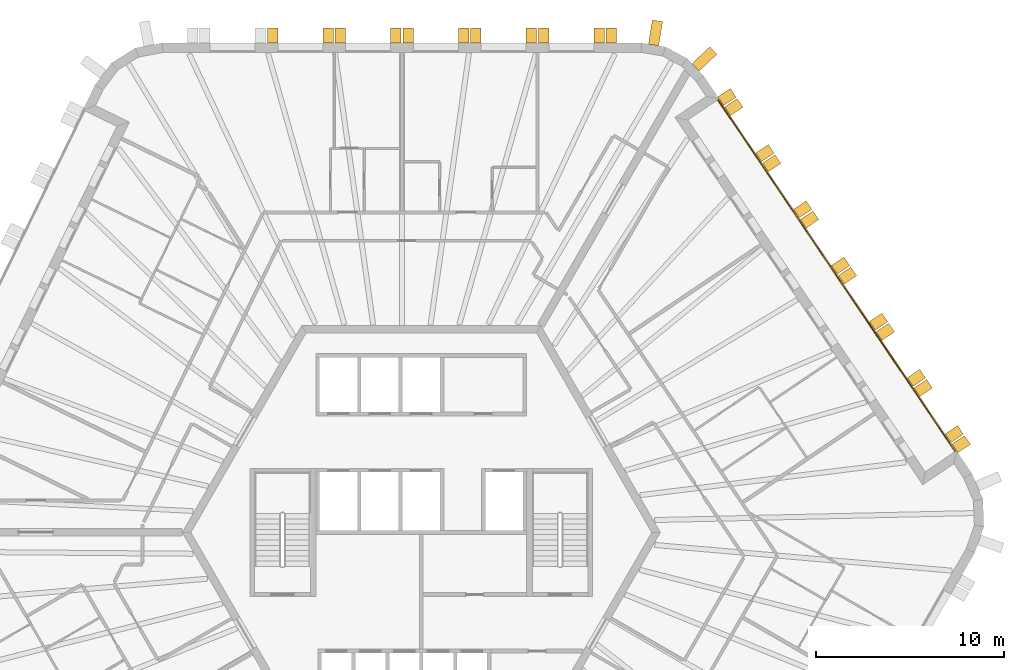
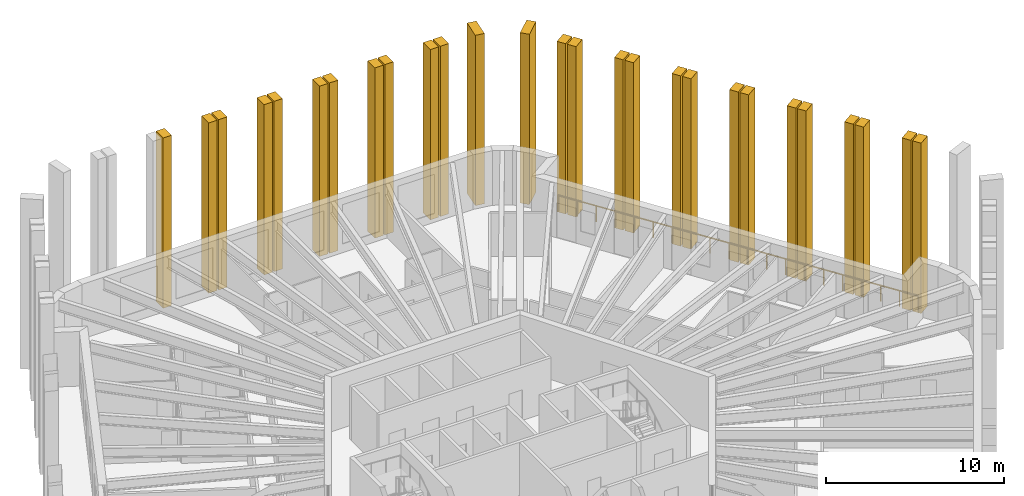
# One storey, part 12 of 12: 27 shading devices, 1 railing.
"""IFC4 building model written with IfcOpenShell, lengths in metres."""

from ifc_helpers import new_model, si_unit, direction, frame, origin, origin_2d, place, context, subcontext, project, spatial, polyline, circle, outline, extrude, material, layer, layer_set, type_object, element, save


model = new_model("IFC4")

# Units and contexts
model_context = context("Model", 3, precision=1e-05, world=origin(), true_north=direction((0.0, 1.0)))
body_context = subcontext(model_context, "Body", "Model", "MODEL_VIEW")
ifc_project = project(units=[si_unit("LENGTHUNIT", "METRE"), si_unit("AREAUNIT", "SQUARE_METRE"), si_unit("VOLUMEUNIT", "CUBIC_METRE"), si_unit("PLANEANGLEUNIT", "RADIAN"), si_unit("MASSUNIT", "GRAM", prefix="KILO")], contexts=[model_context])

# Site, building, storey
site_placement = place(None, origin())
site = spatial("IfcSite", under=ifc_project, at=site_placement, CompositionType="ELEMENT")
building_placement = place(site_placement, origin())
building = spatial("IfcBuilding", under=site, at=building_placement, Name="Tarnside Tower", CompositionType="ELEMENT")
storey_placement = place(building_placement, frame((0.0, 0.0, 291.300048828125)))
storey = spatial("IfcBuildingStorey", under=building, at=storey_placement, Name="L70", CompositionType="ELEMENT", Elevation=291.300048828125)

# Railing
ifc_material_1 = material(Name="Toughened glass", Category="glass")
railing_type = type_object("IfcRailingType", Name="Glass guard 1100", PredefinedType="GUARDRAIL", material=ifc_material_1)
railing_placement = place(storey_placement, frame((28.365234375, 4.299560546875, 0.0)))
element("IfcRailing", 1, at=railing_placement, inside=storey, type_object=railing_type, Name="Loggia guard L70 F6", PredefinedType="GUARDRAIL", context=body_context, shape_type="SweptSolid", body=[
    extrude(circle(Radius=0.030029296875, at=origin_2d()), frame((0.0, 0.0, 1.070068359375), z_axis=(-0.559195329741, 0.82903593601, 0.0), x_axis=(-0.82903593601, -0.559195329741, 0.0)), (0.0, 0.0, 1.0), 22.544677734375),
    extrude(circle(Radius=0.02490234375, at=origin_2d()), origin(), (0.0, 0.0, 1.0), 1.0400390625),
    extrude(circle(Radius=0.02490234375, at=origin_2d()), frame((-0.66357421875, 0.983642578125, 0.0)), (0.0, 0.0, 1.0), 1.0400390625),
    extrude(circle(Radius=0.02490234375, at=origin_2d()), frame((-1.3271484375, 1.967529296875, 0.0)), (0.0, 0.0, 1.0), 1.0400390625),
    extrude(circle(Radius=0.02490234375, at=origin_2d()), frame((-1.990478515625, 2.951171875, 0.0)), (0.0, 0.0, 1.0), 1.0400390625),
    extrude(circle(Radius=0.02490234375, at=origin_2d()), frame((-2.654052734375, 3.934814453125, 0.0)), (0.0, 0.0, 1.0), 1.0400390625),
    extrude(circle(Radius=0.02490234375, at=origin_2d()), frame((-3.317626953125, 4.91845703125, 0.0)), (0.0, 0.0, 1.0), 1.0400390625),
    extrude(circle(Radius=0.02490234375, at=origin_2d()), frame((-3.981201171875, 5.90234375, 0.0)), (0.0, 0.0, 1.0), 1.0400390625),
    extrude(circle(Radius=0.02490234375, at=origin_2d()), frame((-4.644775390625, 6.885986328125, 0.0)), (0.0, 0.0, 1.0), 1.0400390625),
    extrude(circle(Radius=0.02490234375, at=origin_2d()), frame((-5.30810546875, 7.86962890625, 0.0)), (0.0, 0.0, 1.0), 1.0400390625),
    extrude(circle(Radius=0.02490234375, at=origin_2d()), frame((-5.9716796875, 8.853271484375, 0.0)), (0.0, 0.0, 1.0), 1.0400390625),
    extrude(circle(Radius=0.02490234375, at=origin_2d()), frame((-6.63525390625, 9.837158203125, 0.0)), (0.0, 0.0, 1.0), 1.0400390625),
    extrude(circle(Radius=0.02490234375, at=origin_2d()), frame((-7.298828125, 10.82080078125, 0.0)), (0.0, 0.0, 1.0), 1.0400390625),
    extrude(circle(Radius=0.02490234375, at=origin_2d()), frame((-7.962158203125, 11.804443359375, 0.0)), (0.0, 0.0, 1.0), 1.0400390625),
    extrude(circle(Radius=0.02490234375, at=origin_2d()), frame((-8.625732421875, 12.7880859375, 0.0)), (0.0, 0.0, 1.0), 1.0400390625),
    extrude(circle(Radius=0.02490234375, at=origin_2d()), frame((-9.289306640625, 13.77197265625, 0.0)), (0.0, 0.0, 1.0), 1.0400390625),
    extrude(circle(Radius=0.02490234375, at=origin_2d()), frame((-9.952880859375, 14.755615234375, 0.0)), (0.0, 0.0, 1.0), 1.0400390625),
    extrude(circle(Radius=0.02490234375, at=origin_2d()), frame((-10.616455078125, 15.7392578125, 0.0)), (0.0, 0.0, 1.0), 1.0400390625),
    extrude(circle(Radius=0.02490234375, at=origin_2d()), frame((-11.27978515625, 16.722900390625, 0.0)), (0.0, 0.0, 1.0), 1.0400390625),
    extrude(circle(Radius=0.02490234375, at=origin_2d()), frame((-11.943359375, 17.706787109375, 0.0)), (0.0, 0.0, 1.0), 1.0400390625),
    extrude(circle(Radius=0.02490234375, at=origin_2d()), frame((-12.60693359375, 18.6904296875, 0.0)), (0.0, 0.0, 1.0), 1.0400390625),
])

# Shading devices
ifc_material_2 = material(Name="Concrete C50/60 white precast", Category="concrete")
ifc_layer_1 = layer(ifc_material_2, 0.550048828125)
ifc_layer_set_1 = layer_set([ifc_layer_1], Name="Precast fin 550 x 1300")
shading_device_type_1 = type_object("IfcShadingDeviceType", Name="Precast fin 550 x 1300", PredefinedType="USERDEFINED", material=ifc_layer_set_1)
for number, where, z_axis, x_axis, name in (
    (2, (14.571044921875, 24.7109375, -0.150146484375), (0.686241637865, -0.727373641577, 0.0), (0.727373641577, 0.686241637865, 0.0), "Precast fin"),
    (3, (12.33837890625, 25.89794921875, -0.150146484375), (0.986761532114, -0.1621779231, 0.0), (0.1621779231, 0.986761532114, 0.0), "Precast fin"),
):
    element("IfcShadingDevice", number, at=place(storey_placement, frame(where, z_axis=z_axis, x_axis=x_axis)), inside=storey, type_object=shading_device_type_1, Name=name, ObjectType="FIN", PredefinedType="USERDEFINED", context=body_context, shape_type="SweptSolid", body=[
        extrude(outline(polyline([(0.0, 0.0), (1.300048828125, 0.0), (1.300048828125, 11.7001953125), (0.0, 11.7001953125), (0.0, 0.0)])), frame((0.0, 0.0, -0.27490234375)), (0.0, 0.0, 1.0), 0.550048828125),
    ])
ifc_layer_2 = layer(ifc_material_2, 0.550048828125)
ifc_layer_set_2 = layer_set([ifc_layer_2], Name="Precast fin 550 x 800")
shading_device_type_2 = type_object("IfcShadingDeviceType", Name="Precast fin 550 x 800", PredefinedType="USERDEFINED", material=ifc_layer_set_2)
for number, where, z_axis, x_axis, name in (
    (4, (10.10009765625, 26.0, -0.150146484375), (1.0, 0.0, 0.0), (0.0, 1.0, 0.0), "Precast fin"),
    (5, (9.4501953125, 26.0, -0.150146484375), (1.0, 0.0, 0.0), (0.0, 1.0, 0.0), "Precast fin"),
    (6, (6.500244140625, 26.0, -0.150146484375), (1.0, 0.0, 0.0), (0.0, 1.0, 0.0), "Precast fin"),
    (7, (5.85009765625, 26.0, -0.150146484375), (1.0, 0.0, 0.0), (0.0, 1.0, 0.0), "Precast fin"),
    (8, (2.900146484375, 26.0, -0.150146484375), (1.0, 0.0, 0.0), (0.0, 1.0, 0.0), "Precast fin"),
    (9, (2.250244140625, 26.0, -0.150146484375), (1.0, 0.0, 0.0), (0.0, 1.0, 0.0), "Precast fin"),
    (10, (-0.69970703125, 26.0, -0.150146484375), (1.0, 0.0, 0.0), (0.0, 1.0, 0.0), "Precast fin"),
    (11, (-1.349853515625, 26.0, -0.150146484375), (1.0, 0.0, 0.0), (0.0, 1.0, 0.0), "Precast fin"),
    (12, (-4.2998046875, 26.0, -0.150146484375), (1.0, 0.0, 0.0), (0.0, 1.0, 0.0), "Precast fin"),
    (13, (-4.94970703125, 26.0, -0.150146484375), (1.0, 0.0, 0.0), (0.0, 1.0, 0.0), "Precast fin"),
    (14, (-7.89990234375, 26.0, -0.150146484375), (1.0, 0.0, 0.0), (0.0, 1.0, 0.0), "Precast fin"),
    (15, (28.34912109375, 4.466552734375, -0.150146484375), (0.559192903471, -0.829037572555, 0.0), (0.829037572555, 0.559192903471, 0.0), "Precast fin"),
    (16, (27.985595703125, 5.00537109375, -0.150146484375), (0.559192903471, -0.829037572555, 0.0), (0.829037572555, 0.559192903471, 0.0), "Precast fin"),
    (17, (26.3359375, 7.450927734375, -0.150146484375), (0.559192903471, -0.829037572555, 0.0), (0.829037572555, 0.559192903471, 0.0), "Precast fin"),
    (18, (25.972412109375, 7.98974609375, -0.150146484375), (0.559192903471, -0.829037572555, 0.0), (0.829037572555, 0.559192903471, 0.0), "Precast fin"),
    (19, (24.32275390625, 10.435546875, -0.150146484375), (0.559192903471, -0.829037572555, 0.0), (0.829037572555, 0.559192903471, 0.0), "Precast fin"),
    (20, (23.95947265625, 10.974365234375, -0.150146484375), (0.559192903471, -0.829037572555, 0.0), (0.829037572555, 0.559192903471, 0.0), "Precast fin"),
    (21, (22.309814453125, 13.419921875, -0.150146484375), (0.559192903471, -0.829037572555, 0.0), (0.829037572555, 0.559192903471, 0.0), "Precast fin"),
    (22, (21.9462890625, 13.958984375, -0.150146484375), (0.559192903471, -0.829037572555, 0.0), (0.829037572555, 0.559192903471, 0.0), "Precast fin"),
    (23, (20.296630859375, 16.404541015625, -0.150146484375), (0.559192903471, -0.829037572555, 0.0), (0.829037572555, 0.559192903471, 0.0), "Precast fin"),
    (24, (19.93310546875, 16.943359375, -0.150146484375), (0.559192903471, -0.829037572555, 0.0), (0.829037572555, 0.559192903471, 0.0), "Precast fin"),
    (25, (18.283447265625, 19.38916015625, -0.150146484375), (0.559192903471, -0.829037572555, 0.0), (0.829037572555, 0.559192903471, 0.0), "Precast fin"),
    (26, (17.920166015625, 19.927978515625, -0.150146484375), (0.559192903471, -0.829037572555, 0.0), (0.829037572555, 0.559192903471, 0.0), "Precast fin"),
    (27, (16.2705078125, 22.37353515625, -0.150146484375), (0.559192903471, -0.829037572555, 0.0), (0.829037572555, 0.559192903471, 0.0), "Precast fin"),
    (28, (15.906982421875, 22.91259765625, -0.150146484375), (0.559192903471, -0.829037572555, 0.0), (0.829037572555, 0.559192903471, 0.0), "Precast fin"),
):
    element("IfcShadingDevice", number, at=place(storey_placement, frame(where, z_axis=z_axis, x_axis=x_axis)), inside=storey, type_object=shading_device_type_2, Name=name, ObjectType="FIN", PredefinedType="USERDEFINED", context=body_context, shape_type="SweptSolid", body=[
        extrude(outline(polyline([(0.0, 0.0), (0.800048828125, 0.0), (0.800048828125, 11.7001953125), (0.0, 11.7001953125), (0.0, 0.0)])), frame((0.0, 0.0, -0.27490234375)), (0.0, 0.0, 1.0), 0.550048828125),
    ])

save(model, "model.ifc")
